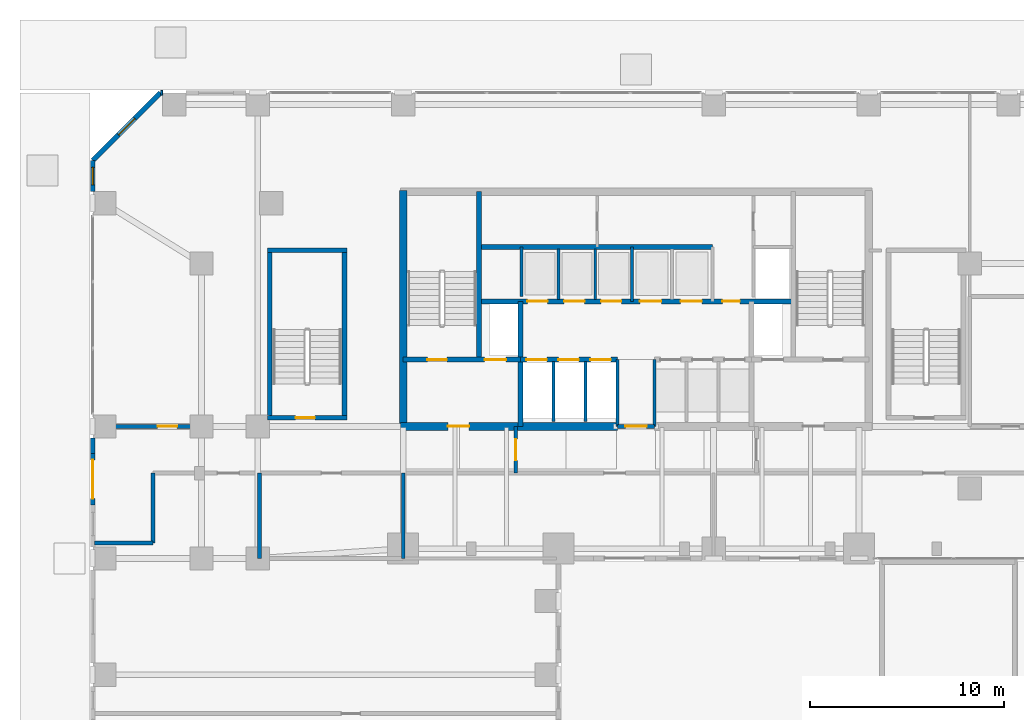
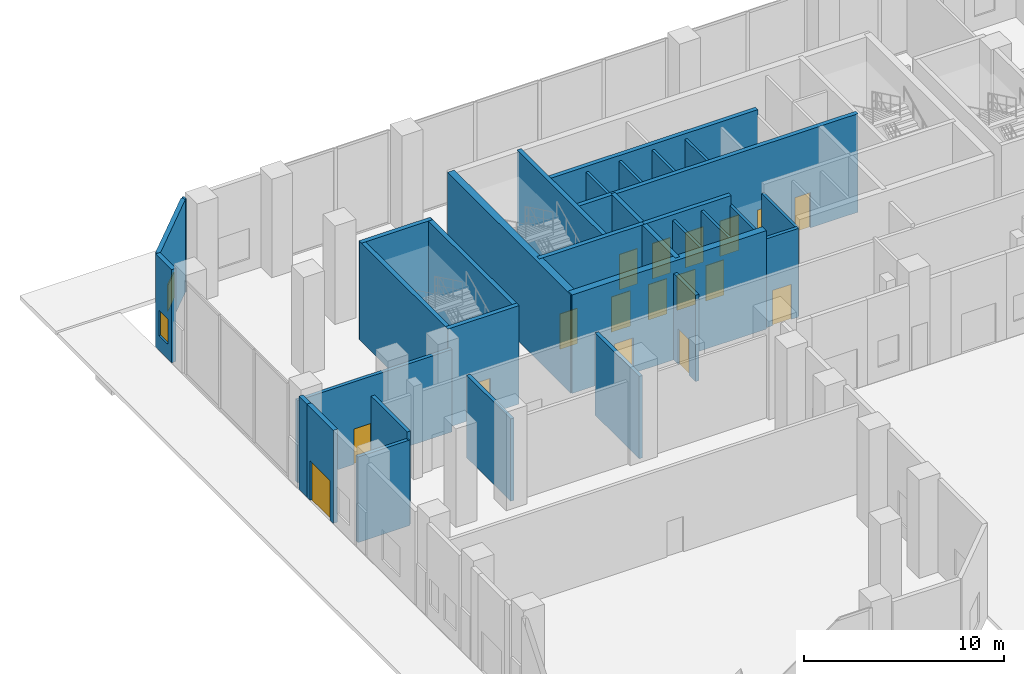
# One storey, part 18 of 26: 32 walls, 17 doors, 2 windows, 19 openings.
"""IFC4 building model written with IfcOpenShell, lengths in metres."""

from ifc_helpers import new_model, si_unit, direction, frame, frame_2d, origin, place, context, subcontext, project, spatial, rectangle, extrude, material, layer, layer_set, type_object, element, fill, save


model = new_model("IFC4")

# Units and contexts
model_context = context("Model", 3, precision=1e-05, world=origin(), true_north=direction((0.0, 1.0)))
body_context = subcontext(model_context, "Body", "Model", "MODEL_VIEW")
ifc_project = project(units=[si_unit("LENGTHUNIT", "METRE"), si_unit("AREAUNIT", "SQUARE_METRE"), si_unit("VOLUMEUNIT", "CUBIC_METRE"), si_unit("PLANEANGLEUNIT", "RADIAN"), si_unit("MASSUNIT", "GRAM", prefix="KILO")], contexts=[model_context])

# Site, building, storey
site_placement = place(None, origin())
site = spatial("IfcSite", under=ifc_project, at=site_placement, CompositionType="ELEMENT")
building_placement = place(site_placement, origin())
building = spatial("IfcBuilding", under=site, at=building_placement, Name="Catumbela Crestline Tower", CompositionType="ELEMENT")
storey_placement = place(building_placement, origin())
storey = spatial("IfcBuildingStorey", under=building, at=storey_placement, Name="L00", CompositionType="ELEMENT", Elevation=0.0)

# Walls
ifc_material_1 = material(Name="Concrete C50/60", Category="concrete")
ifc_layer_1 = layer(ifc_material_1, 0.25, Name="Concrete C50/60")
ifc_layer_set_1 = layer_set([ifc_layer_1], Name="Concrete C50/60")
wall_type_1 = type_object("IfcWallType", Name="CW-250D", PredefinedType="SHEAR", material=ifc_layer_set_1)
wall_1_placement = place(storey_placement, frame((19.9, 34.25, 0.0), z_axis=(0.0, 0.0, 1.0), x_axis=(0.0, 1.0, 0.0)))
element("IfcWall", 1, at=wall_1_placement, inside=storey, type_object=wall_type_1, Name="L00 Structural Core Shear Wall WWEB", PredefinedType="SHEAR", context=body_context, shape_type="SweptSolid", body=[
    extrude(rectangle(XDim=8.65, YDim=0.25, at=frame_2d((4.325, 0.0))), origin(), (0.0, 0.0, 1.0), 6.0),
])
wall_2_placement = place(storey_placement, frame((22.05, 30.8, 0.0), z_axis=(0.0, 0.0, 1.0), x_axis=(0.0, 1.0, 0.0)))
element("IfcWall", 2, at=wall_2_placement, inside=storey, type_object=wall_type_1, Name="L00 Structural Core Shear Wall FFW", PredefinedType="SHEAR", context=body_context, shape_type="SweptSolid", body=[
    extrude(rectangle(XDim=6.45, YDim=0.25, at=frame_2d((3.225, 0.0))), origin(), (0.0, 0.0, 1.0), 6.0),
])

# Wall, openings, doors
wall_3_placement = place(storey_placement, frame((16.0, 34.25, 0.0), z_axis=(0.0, 0.0, 1.0), x_axis=(1.0, 0.0, 0.0)))
wall_3 = element("IfcWall", 3, at=wall_3_placement, inside=storey, type_object=wall_type_1, Name="L00 Structural Core Shear Wall ST1S", PredefinedType="SHEAR", context=body_context, shape_type="SweptSolid", body=[
    extrude(rectangle(XDim=6.05, YDim=0.25, at=frame_2d((3.025, 0.0))), origin(), (0.0, 0.0, 1.0), 6.0),
])
opening_1_placement = place(wall_3_placement, frame((1.25, 0.0, 0.0)))
opening_1 = element("IfcOpeningElement", 4, at=opening_1_placement, cuts=wall_3, Name="Opening DF9-100", PredefinedType="OPENING", context=body_context, shape_type="SweptSolid", body=[
    extrude(rectangle(XDim=1.0, YDim=2.15, at=frame_2d((0.5, 1.075))), frame((0.0, 0.135, 0.0), z_axis=(0.0, -1.0, 0.0), x_axis=(1.0, 0.0, 0.0)), (0.0, 0.0, 1.0), 0.27),
])
opening_2_placement = place(wall_3_placement, frame((4.2, 0.0, 0.0)))
opening_2 = element("IfcOpeningElement", 5, at=opening_2_placement, cuts=wall_3, Name="Opening LD-110", PredefinedType="OPENING", context=body_context, shape_type="SweptSolid", body=[
    extrude(rectangle(XDim=1.1, YDim=2.15, at=frame_2d((0.55, 1.075))), frame((0.0, 0.135, 0.0), z_axis=(0.0, -1.0, 0.0), x_axis=(1.0, 0.0, 0.0)), (0.0, 0.0, 1.0), 0.27),
])
ifc_material_2 = material(Name="Stainless steel EN 1.4401", Category="steel")
door_type_1 = type_object("IfcDoorType", Name="DF9-100", OperationType="NOTDEFINED", PredefinedType="DOOR", material=ifc_material_2)
door_1_placement = place(opening_1_placement, origin())
door_1 = element("IfcDoor", 6, at=door_1_placement, inside=storey, type_object=door_type_1, Name="L00 Interior Door DR-L00-ST01", OperationType="SINGLE_SWING_LEFT", OverallHeight=2.15, OverallWidth=1.0, PredefinedType="DOOR", context=body_context, shape_type="SweptSolid", body=[
    extrude(rectangle(XDim=1.0, YDim=2.15, at=frame_2d((0.5, 1.075))), frame((0.0, 0.025, 0.0), z_axis=(0.0, -1.0, 0.0), x_axis=(1.0, 0.0, 0.0)), (0.0, 0.0, 1.0), 0.05),
])
fill(opening_1, door_1)
door_type_2 = type_object("IfcDoorType", Name="LD-110", OperationType="NOTDEFINED", PredefinedType="DOOR", material=ifc_material_2)
door_2_placement = place(opening_2_placement, origin())
door_2 = element("IfcDoor", 7, at=door_2_placement, inside=storey, type_object=door_type_2, Name="L00 Lift Landing Sliding Door FL-01", OperationType="DOUBLE_DOOR_SLIDING", OverallHeight=2.15, OverallWidth=1.1, PredefinedType="DOOR", context=body_context, shape_type="SweptSolid", body=[
    extrude(rectangle(XDim=1.1, YDim=2.15, at=frame_2d((0.55, 1.075))), frame((0.0, 0.025, 0.0), z_axis=(0.0, -1.0, 0.0), x_axis=(1.0, 0.0, 0.0)), (0.0, 0.0, 1.0), 0.05),
])
fill(opening_2, door_2)

wall_4_placement = place(storey_placement, frame((22.05, 34.25, 0.0), z_axis=(0.0, 0.0, 1.0), x_axis=(1.0, 0.0, 0.0)))
wall_4 = element("IfcWall", 8, at=wall_4_placement, inside=storey, type_object=wall_type_1, Name="L00 Structural Core Shear Wall LIFTS-W", PredefinedType="SHEAR", context=body_context, shape_type="SweptSolid", body=[
    extrude(rectangle(XDim=5.0, YDim=0.25, at=frame_2d((2.5, 0.0))), origin(), (0.0, 0.0, 1.0), 6.0),
])
opening_3_placement = place(wall_4_placement, frame((0.3, 0.0, 0.0)))
opening_3 = element("IfcOpeningElement", 9, at=opening_3_placement, cuts=wall_4, Name="Opening LD-105", PredefinedType="OPENING", context=body_context, shape_type="SweptSolid", body=[
    extrude(rectangle(XDim=1.05, YDim=2.15, at=frame_2d((0.525, 1.075))), frame((0.0, 0.135, 0.0), z_axis=(0.0, -1.0, 0.0), x_axis=(1.0, 0.0, 0.0)), (0.0, 0.0, 1.0), 0.27),
])
opening_4_placement = place(wall_4_placement, frame((1.95, 0.0, 0.0)))
opening_4 = element("IfcOpeningElement", 10, at=opening_4_placement, cuts=wall_4, Name="Opening LD-105", PredefinedType="OPENING", context=body_context, shape_type="SweptSolid", body=[
    extrude(rectangle(XDim=1.05, YDim=2.15, at=frame_2d((0.525, 1.075))), frame((0.0, 0.135, 0.0), z_axis=(0.0, -1.0, 0.0), x_axis=(1.0, 0.0, 0.0)), (0.0, 0.0, 1.0), 0.27),
])
opening_5_placement = place(wall_4_placement, frame((3.6, 0.0, 0.0)))
opening_5 = element("IfcOpeningElement", 11, at=opening_5_placement, cuts=wall_4, Name="Opening LD-105", PredefinedType="OPENING", context=body_context, shape_type="SweptSolid", body=[
    extrude(rectangle(XDim=1.05, YDim=2.15, at=frame_2d((0.525, 1.075))), frame((0.0, 0.135, 0.0), z_axis=(0.0, -1.0, 0.0), x_axis=(1.0, 0.0, 0.0)), (0.0, 0.0, 1.0), 0.27),
])
door_type_3 = type_object("IfcDoorType", Name="LD-105", OperationType="NOTDEFINED", PredefinedType="DOOR", material=ifc_material_2)
door_3_placement = place(opening_3_placement, origin())
door_3 = element("IfcDoor", 12, at=door_3_placement, inside=storey, type_object=door_type_3, Name="L00 Lift Landing Sliding Door PL-L1", OperationType="DOUBLE_DOOR_SLIDING", OverallHeight=2.15, OverallWidth=1.05, PredefinedType="DOOR", context=body_context, shape_type="SweptSolid", body=[
    extrude(rectangle(XDim=1.05, YDim=2.15, at=frame_2d((0.525, 1.075))), frame((0.0, 0.025, 0.0), z_axis=(0.0, -1.0, 0.0), x_axis=(1.0, 0.0, 0.0)), (0.0, 0.0, 1.0), 0.05),
])
fill(opening_3, door_3)
door_4_placement = place(opening_4_placement, origin())
door_4 = element("IfcDoor", 13, at=door_4_placement, inside=storey, type_object=door_type_3, Name="L00 Lift Landing Sliding Door PL-L2", OperationType="DOUBLE_DOOR_SLIDING", OverallHeight=2.15, OverallWidth=1.05, PredefinedType="DOOR", context=body_context, shape_type="SweptSolid", body=[
    extrude(rectangle(XDim=1.05, YDim=2.15, at=frame_2d((0.525, 1.075))), frame((0.0, 0.025, 0.0), z_axis=(0.0, -1.0, 0.0), x_axis=(1.0, 0.0, 0.0)), (0.0, 0.0, 1.0), 0.05),
])
fill(opening_4, door_4)
door_5_placement = place(opening_5_placement, origin())
door_5 = element("IfcDoor", 14, at=door_5_placement, inside=storey, type_object=door_type_3, Name="L00 Lift Landing Sliding Door PL-L3", OperationType="DOUBLE_DOOR_SLIDING", OverallHeight=2.15, OverallWidth=1.05, PredefinedType="DOOR", context=body_context, shape_type="SweptSolid", body=[
    extrude(rectangle(XDim=1.05, YDim=2.15, at=frame_2d((0.525, 1.075))), frame((0.0, 0.025, 0.0), z_axis=(0.0, -1.0, 0.0), x_axis=(1.0, 0.0, 0.0)), (0.0, 0.0, 1.0), 0.05),
])
fill(opening_5, door_5)

wall_5_placement = place(storey_placement, frame((19.9, 37.25, 0.0), z_axis=(0.0, 0.0, 1.0), x_axis=(1.0, 0.0, 0.0)))
wall_5 = element("IfcWall", 15, at=wall_5_placement, inside=storey, type_object=wall_type_1, Name="L00 Structural Core Shear Wall LIFTN", PredefinedType="SHEAR", context=body_context, shape_type="SweptSolid", body=[
    extrude(rectangle(XDim=16.2, YDim=0.25, at=frame_2d((8.1, 0.0))), origin(), (0.0, 0.0, 1.0), 6.0),
])
opening_6_placement = place(wall_5_placement, frame((12.55, 0.0, 0.0)))
opening_6 = element("IfcOpeningElement", 16, at=opening_6_placement, cuts=wall_5, Name="Opening DF9-090", PredefinedType="OPENING", context=body_context, shape_type="SweptSolid", body=[
    extrude(rectangle(XDim=0.9, YDim=2.15, at=frame_2d((0.45, 1.075))), frame((0.0, 0.135, 0.0), z_axis=(0.0, -1.0, 0.0), x_axis=(1.0, 0.0, 0.0)), (0.0, 0.0, 1.0), 0.27),
])
opening_7_placement = place(wall_5_placement, frame((2.5, 0.0, 0.0)))
opening_7 = element("IfcOpeningElement", 17, at=opening_7_placement, cuts=wall_5, Name="Opening LD-105", PredefinedType="OPENING", context=body_context, shape_type="SweptSolid", body=[
    extrude(rectangle(XDim=1.05, YDim=2.15, at=frame_2d((0.525, 1.075))), frame((0.0, 0.135, 0.0), z_axis=(0.0, -1.0, 0.0), x_axis=(1.0, 0.0, 0.0)), (0.0, 0.0, 1.0), 0.27),
])
opening_8_placement = place(wall_5_placement, frame((4.4, 0.0, 0.0)))
opening_8 = element("IfcOpeningElement", 18, at=opening_8_placement, cuts=wall_5, Name="Opening LD-105", PredefinedType="OPENING", context=body_context, shape_type="SweptSolid", body=[
    extrude(rectangle(XDim=1.05, YDim=2.15, at=frame_2d((0.525, 1.075))), frame((0.0, 0.135, 0.0), z_axis=(0.0, -1.0, 0.0), x_axis=(1.0, 0.0, 0.0)), (0.0, 0.0, 1.0), 0.27),
])
opening_9_placement = place(wall_5_placement, frame((6.3, 0.0, 0.0)))
opening_9 = element("IfcOpeningElement", 19, at=opening_9_placement, cuts=wall_5, Name="Opening LD-105", PredefinedType="OPENING", context=body_context, shape_type="SweptSolid", body=[
    extrude(rectangle(XDim=1.05, YDim=2.15, at=frame_2d((0.525, 1.075))), frame((0.0, 0.135, 0.0), z_axis=(0.0, -1.0, 0.0), x_axis=(1.0, 0.0, 0.0)), (0.0, 0.0, 1.0), 0.27),
])
opening_10_placement = place(wall_5_placement, frame((8.3, 0.0, 0.0)))
opening_10 = element("IfcOpeningElement", 20, at=opening_10_placement, cuts=wall_5, Name="Opening LD-110", PredefinedType="OPENING", context=body_context, shape_type="SweptSolid", body=[
    extrude(rectangle(XDim=1.1, YDim=2.15, at=frame_2d((0.55, 1.075))), frame((0.0, 0.135, 0.0), z_axis=(0.0, -1.0, 0.0), x_axis=(1.0, 0.0, 0.0)), (0.0, 0.0, 1.0), 0.27),
])
opening_11_placement = place(wall_5_placement, frame((10.4, 0.0, 0.0)))
opening_11 = element("IfcOpeningElement", 21, at=opening_11_placement, cuts=wall_5, Name="Opening LD-110", PredefinedType="OPENING", context=body_context, shape_type="SweptSolid", body=[
    extrude(rectangle(XDim=1.1, YDim=2.15, at=frame_2d((0.55, 1.075))), frame((0.0, 0.135, 0.0), z_axis=(0.0, -1.0, 0.0), x_axis=(1.0, 0.0, 0.0)), (0.0, 0.0, 1.0), 0.27),
])
door_type_4 = type_object("IfcDoorType", Name="DF9-090", OperationType="NOTDEFINED", PredefinedType="DOOR", material=ifc_material_2)
door_6_placement = place(opening_6_placement, origin())
door_6 = element("IfcDoor", 22, at=door_6_placement, inside=storey, type_object=door_type_4, Name="L00 Interior Door DR-L00-CPAS1", OperationType="SINGLE_SWING_LEFT", OverallHeight=2.15, OverallWidth=0.9, PredefinedType="DOOR", context=body_context, shape_type="SweptSolid", body=[
    extrude(rectangle(XDim=0.9, YDim=2.15, at=frame_2d((0.45, 1.075))), frame((0.0, 0.025, 0.0), z_axis=(0.0, -1.0, 0.0), x_axis=(1.0, 0.0, 0.0)), (0.0, 0.0, 1.0), 0.05),
])
fill(opening_6, door_6)
door_7_placement = place(opening_7_placement, origin())
door_7 = element("IfcDoor", 23, at=door_7_placement, inside=storey, type_object=door_type_3, Name="L00 Lift Landing Sliding Door PL-H1", OperationType="DOUBLE_DOOR_SLIDING", OverallHeight=2.15, OverallWidth=1.05, PredefinedType="DOOR", context=body_context, shape_type="SweptSolid", body=[
    extrude(rectangle(XDim=1.05, YDim=2.15, at=frame_2d((0.525, 1.075))), frame((0.0, 0.025, 0.0), z_axis=(0.0, -1.0, 0.0), x_axis=(1.0, 0.0, 0.0)), (0.0, 0.0, 1.0), 0.05),
])
fill(opening_7, door_7)
door_8_placement = place(opening_8_placement, origin())
door_8 = element("IfcDoor", 24, at=door_8_placement, inside=storey, type_object=door_type_3, Name="L00 Lift Landing Sliding Door PL-H2", OperationType="DOUBLE_DOOR_SLIDING", OverallHeight=2.15, OverallWidth=1.05, PredefinedType="DOOR", context=body_context, shape_type="SweptSolid", body=[
    extrude(rectangle(XDim=1.05, YDim=2.15, at=frame_2d((0.525, 1.075))), frame((0.0, 0.025, 0.0), z_axis=(0.0, -1.0, 0.0), x_axis=(1.0, 0.0, 0.0)), (0.0, 0.0, 1.0), 0.05),
])
fill(opening_8, door_8)
door_9_placement = place(opening_9_placement, origin())
door_9 = element("IfcDoor", 25, at=door_9_placement, inside=storey, type_object=door_type_3, Name="L00 Lift Landing Sliding Door PL-H3", OperationType="DOUBLE_DOOR_SLIDING", OverallHeight=2.15, OverallWidth=1.05, PredefinedType="DOOR", context=body_context, shape_type="SweptSolid", body=[
    extrude(rectangle(XDim=1.05, YDim=2.15, at=frame_2d((0.525, 1.075))), frame((0.0, 0.025, 0.0), z_axis=(0.0, -1.0, 0.0), x_axis=(1.0, 0.0, 0.0)), (0.0, 0.0, 1.0), 0.05),
])
fill(opening_9, door_9)
door_10_placement = place(opening_10_placement, origin())
door_10 = element("IfcDoor", 26, at=door_10_placement, inside=storey, type_object=door_type_2, Name="L00 Lift Landing Sliding Door PL-EX1", OperationType="DOUBLE_DOOR_SLIDING", OverallHeight=2.15, OverallWidth=1.1, PredefinedType="DOOR", context=body_context, shape_type="SweptSolid", body=[
    extrude(rectangle(XDim=1.1, YDim=2.15, at=frame_2d((0.55, 1.075))), frame((0.0, 0.025, 0.0), z_axis=(0.0, -1.0, 0.0), x_axis=(1.0, 0.0, 0.0)), (0.0, 0.0, 1.0), 0.05),
])
fill(opening_10, door_10)
door_11_placement = place(opening_11_placement, origin())
door_11 = element("IfcDoor", 27, at=door_11_placement, inside=storey, type_object=door_type_2, Name="L00 Lift Landing Sliding Door PL-EX2", OperationType="DOUBLE_DOOR_SLIDING", OverallHeight=2.15, OverallWidth=1.1, PredefinedType="DOOR", context=body_context, shape_type="SweptSolid", body=[
    extrude(rectangle(XDim=1.1, YDim=2.15, at=frame_2d((0.55, 1.075))), frame((0.0, 0.025, 0.0), z_axis=(0.0, -1.0, 0.0), x_axis=(1.0, 0.0, 0.0)), (0.0, 0.0, 1.0), 0.05),
])
fill(opening_11, door_11)

# Walls
wall_6_placement = place(storey_placement, frame((19.9, 40.05, 0.0), z_axis=(0.0, 0.0, 1.0), x_axis=(1.0, 0.0, 0.0)))
element("IfcWall", 28, at=wall_6_placement, inside=storey, type_object=wall_type_1, Name="L00 Structural Core Shear Wall COREN", PredefinedType="SHEAR", context=body_context, shape_type="SweptSolid", body=[
    extrude(rectangle(XDim=12.05, YDim=0.25, at=frame_2d((6.025, 0.0))), origin(), (0.0, 0.0, 1.0), 6.0),
])
for number, where, z_axis, x_axis, name in (
    (29, (9.12, 31.15, 0.0), (0.0, 0.0, 1.0), (0.0, 1.0, 0.0), "L00 Structural Core Shear Wall ST3W"),
    (30, (12.98, 31.15, 0.0), (0.0, 0.0, 1.0), (0.0, 1.0, 0.0), "L00 Structural Core Shear Wall ST3E"),
):
    element("IfcWall", number, at=place(storey_placement, frame(where, z_axis=z_axis, x_axis=x_axis)), inside=storey, type_object=wall_type_1, Name=name, PredefinedType="SHEAR", context=body_context, shape_type="SweptSolid", body=[
        extrude(rectangle(XDim=8.8, YDim=0.25, at=frame_2d((4.4, 0.0))), origin(), (0.0, 0.0, 1.0), 6.0),
    ])
wall_7_placement = place(storey_placement, frame((9.0, 39.88, 0.0), z_axis=(0.0, 0.0, 1.0), x_axis=(1.0, 0.0, 0.0)))
element("IfcWall", 31, at=wall_7_placement, inside=storey, type_object=wall_type_1, Name="L00 Structural Core Shear Wall ST3N", PredefinedType="SHEAR", context=body_context, shape_type="SweptSolid", body=[
    extrude(rectangle(XDim=4.1, YDim=0.25, at=frame_2d((2.05, 0.0))), origin(), (0.0, 0.0, 1.0), 6.0),
])

# Wall, opening, door
wall_8_placement = place(storey_placement, frame((9.0, 31.25, 0.0), z_axis=(0.0, 0.0, 1.0), x_axis=(1.0, 0.0, 0.0)))
wall_8 = element("IfcWall", 32, at=wall_8_placement, inside=storey, type_object=wall_type_1, Name="L00 Structural Core Shear Wall ST3S", PredefinedType="SHEAR", context=body_context, shape_type="SweptSolid", body=[
    extrude(rectangle(XDim=4.1, YDim=0.25, at=frame_2d((2.05, 0.0))), origin(), (0.0, 0.0, 1.0), 6.0),
])
opening_12_placement = place(wall_8_placement, frame((1.45, 0.0, 0.0)))
opening_12 = element("IfcOpeningElement", 33, at=opening_12_placement, cuts=wall_8, Name="Opening DF9-100", PredefinedType="OPENING", context=body_context, shape_type="SweptSolid", body=[
    extrude(rectangle(XDim=1.0, YDim=2.15, at=frame_2d((0.5, 1.075))), frame((0.0, 0.135, 0.0), z_axis=(0.0, -1.0, 0.0), x_axis=(1.0, 0.0, 0.0)), (0.0, 0.0, 1.0), 0.27),
])
door_12_placement = place(opening_12_placement, origin())
door_12 = element("IfcDoor", 34, at=door_12_placement, inside=storey, type_object=door_type_1, Name="L00 Interior Door DR-L00-ST03", OperationType="SINGLE_SWING_LEFT", OverallHeight=2.15, OverallWidth=1.0, PredefinedType="DOOR", context=body_context, shape_type="SweptSolid", body=[
    extrude(rectangle(XDim=1.0, YDim=2.15, at=frame_2d((0.5, 1.075))), frame((0.0, 0.025, 0.0), z_axis=(0.0, -1.0, 0.0), x_axis=(1.0, 0.0, 0.0)), (0.0, 0.0, 1.0), 0.05),
])
fill(opening_12, door_12)

# Wall
ifc_material_3 = material(Name="Concrete C60/75", Category="concrete")
ifc_layer_2 = layer(ifc_material_3, 0.4, Name="Concrete C60/75")
ifc_layer_set_2 = layer_set([ifc_layer_2], Name="Concrete C60/75")
wall_type_2 = type_object("IfcWallType", Name="CW-400A", PredefinedType="SHEAR", material=ifc_layer_set_2)
wall_9_placement = place(storey_placement, frame((16.0, 30.65, 0.0), z_axis=(0.0, 0.0, 1.0), x_axis=(0.0, 1.0, 0.0)))
element("IfcWall", 35, at=wall_9_placement, inside=storey, type_object=wall_type_2, Name="L00 Structural Core Shear Wall W", PredefinedType="SHEAR", context=body_context, shape_type="SweptSolid", body=[
    extrude(rectangle(XDim=12.3, YDim=0.4, at=frame_2d((6.15, 0.0))), origin(), (0.0, 0.0, 1.0), 6.0),
])

# Wall, opening, door
wall_10_placement = place(storey_placement, frame((15.85, 30.8, 0.0), z_axis=(0.0, 0.0, 1.0), x_axis=(1.0, 0.0, 0.0)))
wall_10 = element("IfcWall", 36, at=wall_10_placement, inside=storey, type_object=wall_type_2, Name="L00 Structural Core Shear Wall SW", PredefinedType="SHEAR", context=body_context, shape_type="SweptSolid", body=[
    extrude(rectangle(XDim=11.2, YDim=0.4, at=frame_2d((5.6, 0.0))), origin(), (0.0, 0.0, 1.0), 6.0),
])
opening_13_placement = place(wall_10_placement, frame((2.45, 0.0, 0.0)))
opening_13 = element("IfcOpeningElement", 37, at=opening_13_placement, cuts=wall_10, Name="Opening DF9-110", PredefinedType="OPENING", context=body_context, shape_type="SweptSolid", body=[
    extrude(rectangle(XDim=1.1, YDim=2.15, at=frame_2d((0.55, 1.075))), frame((0.0, 0.21, 0.0), z_axis=(0.0, -1.0, 0.0), x_axis=(1.0, 0.0, 0.0)), (0.0, 0.0, 1.0), 0.42),
])
door_type_5 = type_object("IfcDoorType", Name="DF9-110", OperationType="NOTDEFINED", PredefinedType="DOOR", material=ifc_material_2)
door_13_placement = place(opening_13_placement, origin())
door_13 = element("IfcDoor", 38, at=door_13_placement, inside=storey, type_object=door_type_5, Name="L00 Interior Door DR-L00-FFW-S", OperationType="SINGLE_SWING_LEFT", OverallHeight=2.15, OverallWidth=1.1, PredefinedType="DOOR", context=body_context, shape_type="SweptSolid", body=[
    extrude(rectangle(XDim=1.1, YDim=2.15, at=frame_2d((0.55, 1.075))), frame((0.0, 0.025, 0.0), z_axis=(0.0, -1.0, 0.0), x_axis=(1.0, 0.0, 0.0)), (0.0, 0.0, 1.0), 0.05),
])
fill(opening_13, door_13)

ifc_material_4 = material(Name="Acoustic gypsum and mineral-wool partition")
ifc_layer_3 = layer(ifc_material_4, 0.2, Name="Acoustic gypsum and mineral-wool partition")
ifc_layer_set_3 = layer_set([ifc_layer_3], Name="Acoustic gypsum and mineral-wool partition")
wall_type_3 = type_object("IfcWallType", Name="WC-200", PredefinedType="PARTITIONING", material=ifc_layer_set_3)
wall_11_placement = place(storey_placement, frame((27.05, 30.8, 0.0), z_axis=(0.0, 0.0, 1.0), x_axis=(1.0, 0.0, 0.0)))
wall_11 = element("IfcWall", 39, at=wall_11_placement, inside=storey, type_object=wall_type_3, Name="L00 Interior Partition PW-L00-CLOBS", PredefinedType="PARTITIONING", context=body_context, shape_type="SweptSolid", body=[
    extrude(rectangle(XDim=1.9, YDim=0.2, at=frame_2d((0.95, 0.0))), origin(), (0.0, 0.0, 1.0), 5.41),
])
opening_14_placement = place(wall_11_placement, frame((0.4, 0.0, 0.0)))
opening_14 = element("IfcOpeningElement", 40, at=opening_14_placement, cuts=wall_11, Name="Opening DF9-110", PredefinedType="OPENING", context=body_context, shape_type="SweptSolid", body=[
    extrude(rectangle(XDim=1.1, YDim=2.15, at=frame_2d((0.55, 1.075))), frame((0.0, 0.11, 0.0), z_axis=(0.0, -1.0, 0.0), x_axis=(1.0, 0.0, 0.0)), (0.0, 0.0, 1.0), 0.22),
])
door_14_placement = place(opening_14_placement, origin())
door_14 = element("IfcDoor", 41, at=door_14_placement, inside=storey, type_object=door_type_5, Name="L00 Interior Door DR-L00-CLOBS", OperationType="SINGLE_SWING_LEFT", OverallHeight=2.15, OverallWidth=1.1, PredefinedType="DOOR", context=body_context, shape_type="SweptSolid", body=[
    extrude(rectangle(XDim=1.1, YDim=2.15, at=frame_2d((0.55, 1.075))), frame((0.0, 0.025, 0.0), z_axis=(0.0, -1.0, 0.0), x_axis=(1.0, 0.0, 0.0)), (0.0, 0.0, 1.0), 0.05),
])
fill(opening_14, door_14)

wall_12_placement = place(storey_placement, frame((21.8, 28.4, 0.0), z_axis=(0.0, 0.0, 1.0), x_axis=(0.0, 1.0, 0.0)))
wall_12 = element("IfcWall", 42, at=wall_12_placement, inside=storey, type_object=wall_type_3, Name="L00 Interior Partition PW-L00-EXW-SEP", PredefinedType="PARTITIONING", context=body_context, shape_type="SweptSolid", body=[
    extrude(rectangle(XDim=2.4, YDim=0.2, at=frame_2d((1.2, 0.0))), origin(), (0.0, 0.0, 1.0), 5.26),
])
opening_15_placement = place(wall_12_placement, frame((0.65, 0.0, 0.0)))
opening_15 = element("IfcOpeningElement", 43, at=opening_15_placement, cuts=wall_12, Name="Opening DF9-110", PredefinedType="OPENING", context=body_context, shape_type="SweptSolid", body=[
    extrude(rectangle(XDim=1.1, YDim=2.15, at=frame_2d((0.55, 1.075))), frame((0.0, 0.11, 0.0), z_axis=(0.0, -1.0, 0.0), x_axis=(1.0, 0.0, 0.0)), (0.0, 0.0, 1.0), 0.22),
])
door_15_placement = place(opening_15_placement, origin())
door_15 = element("IfcDoor", 44, at=door_15_placement, inside=storey, type_object=door_type_5, Name="L00 Interior Door DR-L00-EXW-SEP", OperationType="SINGLE_SWING_LEFT", OverallHeight=2.15, OverallWidth=1.1, PredefinedType="DOOR", context=body_context, shape_type="SweptSolid", body=[
    extrude(rectangle(XDim=1.1, YDim=2.15, at=frame_2d((0.55, 1.075))), frame((0.0, 0.025, 0.0), z_axis=(0.0, -1.0, 0.0), x_axis=(1.0, 0.0, 0.0)), (0.0, 0.0, 1.0), 0.05),
])
fill(opening_15, door_15)

# Walls
wall_13_placement = place(storey_placement, frame((3.1, 24.8, 0.0), z_axis=(0.0, 0.0, 1.0), x_axis=(0.0, 1.0, 0.0)))
element("IfcWall", 45, at=wall_13_placement, inside=storey, type_object=wall_type_3, Name="L00 Interior Partition PW-L00-EXWV-E", PredefinedType="PARTITIONING", context=body_context, shape_type="SweptSolid", body=[
    extrude(rectangle(XDim=3.6, YDim=0.2, at=frame_2d((1.8, 0.0))), origin(), (0.0, 0.0, 1.0), 5.67),
])
wall_14_placement = place(storey_placement, frame((0.1, 24.8, 0.0), z_axis=(0.0, 0.0, 1.0), x_axis=(1.0, 0.0, 0.0)))
element("IfcWall", 46, at=wall_14_placement, inside=storey, type_object=wall_type_3, Name="L00 Interior Partition PW-L00-EXWV-S", PredefinedType="PARTITIONING", context=body_context, shape_type="SweptSolid", body=[
    extrude(rectangle(XDim=3.0, YDim=0.2, at=frame_2d((1.5, 0.0))), origin(), (0.0, 0.0, 1.0), 5.21),
])
for number, where, z_axis, x_axis, name in (
    (47, (16.0, 24.0, 0.0), (0.0, 0.0, 1.0), (0.0, 1.0, 0.0), "L00 Interior Partition PW-L00-FCC-E"),
    (48, (8.6, 24.0, 0.0), (0.0, 0.0, 1.0), (0.0, 1.0, 0.0), "L00 Interior Partition PW-L00-FCC-W"),
):
    element("IfcWall", number, at=place(storey_placement, frame(where, z_axis=z_axis, x_axis=x_axis)), inside=storey, type_object=wall_type_3, Name=name, PredefinedType="PARTITIONING", context=body_context, shape_type="SweptSolid", body=[
        extrude(rectangle(XDim=4.4, YDim=0.2, at=frame_2d((2.2, 0.0))), origin(), (0.0, 0.0, 1.0), 5.02),
    ])

# Wall, opening, door
wall_15_placement = place(storey_placement, frame((0.1, 30.8, 0.0), z_axis=(0.0, 0.0, 1.0), x_axis=(1.0, 0.0, 0.0)))
wall_15 = element("IfcWall", 49, at=wall_15_placement, inside=storey, type_object=wall_type_3, Name="L00 Interior Partition PW-L00-NW1", PredefinedType="PARTITIONING", context=body_context, shape_type="SweptSolid", body=[
    extrude(rectangle(XDim=8.9, YDim=0.2, at=frame_2d((4.45, 0.0))), origin(), (0.0, 0.0, 1.0), 5.02),
])
opening_16_placement = place(wall_15_placement, frame((3.2481, 0.0, 0.0)))
opening_16 = element("IfcOpeningElement", 50, at=opening_16_placement, cuts=wall_15, Name="Opening DF9-100", PredefinedType="OPENING", context=body_context, shape_type="SweptSolid", body=[
    extrude(rectangle(XDim=1.0, YDim=2.15, at=frame_2d((0.5, 1.075))), frame((0.0, 0.11, 0.0), z_axis=(0.0, -1.0, 0.0), x_axis=(1.0, 0.0, 0.0)), (0.0, 0.0, 1.0), 0.22),
])
door_16_placement = place(opening_16_placement, origin())
door_16 = element("IfcDoor", 51, at=door_16_placement, inside=storey, type_object=door_type_1, Name="L00 Interior Door DR-L00-NW1", OperationType="SINGLE_SWING_LEFT", OverallHeight=2.15, OverallWidth=1.0, PredefinedType="DOOR", context=body_context, shape_type="SweptSolid", body=[
    extrude(rectangle(XDim=1.0, YDim=2.15, at=frame_2d((0.5, 1.075))), frame((0.0, 0.025, 0.0), z_axis=(0.0, -1.0, 0.0), x_axis=(1.0, 0.0, 0.0)), (0.0, 0.0, 1.0), 0.05),
])
fill(opening_16, door_16)

# Wall
ifc_material_5 = material(Name="Angolan grey-ochre granite", Category="masonry")
ifc_layer_4 = layer(ifc_material_5, 0.25, Name="Angolan grey-ochre granite")
ifc_layer_set_4 = layer_set([ifc_layer_4], Name="Angolan grey-ochre granite")
wall_type_4 = type_object("IfcWallType", Name="WE-250", PredefinedType="STANDARD", material=ifc_layer_set_4)
wall_16_placement = place(storey_placement, frame((3.6, 48.0, 0.0), z_axis=(0.0, 0.0, 1.0), x_axis=(-1.0, 0.0, 0.0)))
element("IfcWall", 52, at=wall_16_placement, inside=storey, type_object=wall_type_4, Name="L00 Granite Punched Window Wall 7-7", PredefinedType="STANDARD", context=body_context, shape_type="SweptSolid", body=[
    extrude(rectangle(XDim=0.1, YDim=0.25, at=frame_2d((0.05, 0.0))), origin(), (0.0, 0.0, 1.0), 5.67),
])

# Wall, opening, window
wall_17_placement = place(storey_placement, frame((3.5, 48.0, 0.0), z_axis=(0.0, 0.0, 1.0), x_axis=(-0.707106781187, -0.707106781187, 0.0)))
wall_17 = element("IfcWall", 53, at=wall_17_placement, inside=storey, type_object=wall_type_4, Name="L00 Granite Punched Window Wall 8-1", PredefinedType="STANDARD", context=body_context, shape_type="SweptSolid", body=[
    extrude(rectangle(XDim=4.9497, YDim=0.25, at=frame_2d((2.4748, 0.0))), origin(), (0.0, 0.0, 1.0), 5.67),
])
opening_17_placement = place(wall_17_placement, frame((1.8748, 0.0, 0.85)))
opening_17 = element("IfcOpeningElement", 54, at=opening_17_placement, cuts=wall_17, Name="Opening WN-02", PredefinedType="OPENING", context=body_context, shape_type="SweptSolid", body=[
    extrude(rectangle(XDim=1.2, YDim=1.6, at=frame_2d((0.6, 0.8))), frame((0.0, 0.135, 0.0), z_axis=(0.0, -1.0, 0.0), x_axis=(1.0, 0.0, 0.0)), (0.0, 0.0, 1.0), 0.27),
])
ifc_material_6 = material(Name="Low-E laminated solar-control double glazing", Category="glass")
window_type_1 = type_object("IfcWindowType", Name="WO-1200", PartitioningType="SINGLE_PANEL", PredefinedType="WINDOW", material=ifc_material_6)
window_1_placement = place(opening_17_placement, origin())
window_1 = element("IfcWindow", 55, at=window_1_placement, inside=storey, type_object=window_type_1, Name="L00 Facade Vision Window 18", OverallHeight=1.6, OverallWidth=1.2, PartitioningType="SINGLE_PANEL", PredefinedType="WINDOW", context=body_context, shape_type="SweptSolid", body=[
    extrude(rectangle(XDim=1.2, YDim=1.6, at=frame_2d((0.6, 0.8))), frame((0.0, 0.03, 0.0), z_axis=(0.0, -1.0, 0.0), x_axis=(1.0, 0.0, 0.0)), (0.0, 0.0, 1.0), 0.06),
])
fill(opening_17, window_1)

# Wall, opening, door
wall_18_placement = place(storey_placement, frame((0.0, 26.76, 0.0), z_axis=(0.0, 0.0, 1.0), x_axis=(0.0, 1.0, 0.0)))
wall_18 = element("IfcWall", 56, at=wall_18_placement, inside=storey, type_object=wall_type_4, Name="L00 Exterior Threshold Portal Wall DR-L00-EXIT-W", PredefinedType="STANDARD", context=body_context, shape_type="SweptSolid", body=[
    extrude(rectangle(XDim=2.64, YDim=0.25, at=frame_2d((1.32, 0.0))), origin(), (0.0, 0.0, 1.0), 5.67),
])
opening_18_placement = place(wall_18_placement, frame((0.32, 0.0, 0.0)))
opening_18 = element("IfcOpeningElement", 57, at=opening_18_placement, cuts=wall_18, Name="Opening DE-03", PredefinedType="OPENING", context=body_context, shape_type="SweptSolid", body=[
    extrude(rectangle(XDim=2.0, YDim=2.4, at=frame_2d((1.0, 1.2))), frame((0.0, 0.135, 0.0), z_axis=(0.0, -1.0, 0.0), x_axis=(1.0, 0.0, 0.0)), (0.0, 0.0, 1.0), 0.27),
])
ifc_material_7 = material(Name="Aluminium alloy AW-6060-T66", Category="aluminium")
door_type_6 = type_object("IfcDoorType", Name="DE-2000", OperationType="NOTDEFINED", PredefinedType="DOOR", material=ifc_material_7)
door_17_placement = place(opening_18_placement, origin())
door_17 = element("IfcDoor", 58, at=door_17_placement, inside=storey, type_object=door_type_6, Name="L00 West Galleria Final Exit Door", OperationType="DOUBLE_DOOR_SINGLE_SWING", OverallHeight=2.4, OverallWidth=2.0, PredefinedType="DOOR", context=body_context, shape_type="SweptSolid", body=[
    extrude(rectangle(XDim=2.0, YDim=2.4, at=frame_2d((1.0, 1.2))), frame((0.0, 0.025, 0.0), z_axis=(0.0, -1.0, 0.0), x_axis=(1.0, 0.0, 0.0)), (0.0, 0.0, 1.0), 0.05),
])
fill(opening_18, door_17)

# Wall, opening, window
wall_19_placement = place(storey_placement, frame((0.0, 44.5, 0.0), z_axis=(0.0, 0.0, 1.0), x_axis=(0.0, -1.0, 0.0)))
wall_19 = element("IfcWall", 59, at=wall_19_placement, inside=storey, type_object=wall_type_4, Name="L00 Granite Punched Window Wall 9-1", PredefinedType="STANDARD", context=body_context, shape_type="SweptSolid", body=[
    extrude(rectangle(XDim=1.6, YDim=0.25, at=frame_2d((0.8, 0.0))), origin(), (0.0, 0.0, 1.0), 5.67),
])
opening_19_placement = place(wall_19_placement, frame((0.35, 0.0, 0.9)))
opening_19 = element("IfcOpeningElement", 60, at=opening_19_placement, cuts=wall_19, Name="Opening WN-03", PredefinedType="OPENING", context=body_context, shape_type="SweptSolid", body=[
    extrude(rectangle(XDim=0.9, YDim=1.55, at=frame_2d((0.45, 0.775))), frame((0.0, 0.135, 0.0), z_axis=(0.0, -1.0, 0.0), x_axis=(1.0, 0.0, 0.0)), (0.0, 0.0, 1.0), 0.27),
])
window_type_2 = type_object("IfcWindowType", Name="WO-0900", PartitioningType="SINGLE_PANEL", PredefinedType="WINDOW", material=ifc_material_6)
window_2_placement = place(opening_19_placement, origin())
window_2 = element("IfcWindow", 61, at=window_2_placement, inside=storey, type_object=window_type_2, Name="L00 Facade Vision Window 19", OverallHeight=1.55, OverallWidth=0.9, PartitioningType="SINGLE_PANEL", PredefinedType="WINDOW", context=body_context, shape_type="SweptSolid", body=[
    extrude(rectangle(XDim=0.9, YDim=1.55, at=frame_2d((0.45, 0.775))), frame((0.0, 0.03, 0.0), z_axis=(0.0, -1.0, 0.0), x_axis=(1.0, 0.0, 0.0)), (0.0, 0.0, 1.0), 0.06),
])
fill(opening_19, window_2)

# Walls
wall_20_placement = place(storey_placement, frame((0.0, 30.2, 0.0), z_axis=(0.0, 0.0, 1.0), x_axis=(0.0, -1.0, 0.0)))
element("IfcWall", 62, at=wall_20_placement, inside=storey, type_object=wall_type_4, Name="L00 Granite Punched Window Wall 9-3", PredefinedType="STANDARD", context=body_context, shape_type="SweptSolid", body=[
    extrude(rectangle(XDim=0.8, YDim=0.25, at=frame_2d((0.4, 0.0))), origin(), (0.0, 0.0, 1.0), 5.67),
])
ifc_layer_5 = layer(ifc_material_4, 0.15, Name="Acoustic gypsum and mineral-wool partition")
ifc_layer_set_5 = layer_set([ifc_layer_5], Name="Acoustic gypsum and mineral-wool partition")
wall_type_5 = type_object("IfcWallType", Name="WS-150", PredefinedType="PLUMBINGWALL", material=ifc_layer_set_5)
for number, where, z_axis, x_axis, name in (
    (63, (27.05, 30.8, 0.0), (0.0, 0.0, 1.0), (0.0, 1.0, 0.0), "L00 Interior Partition PW-L00-THRW"),
    (64, (28.95, 30.8, 0.0), (0.0, 0.0, 1.0), (0.0, 1.0, 0.0), "L00 Interior Partition PW-L00-THRE"),
):
    element("IfcWall", number, at=place(storey_placement, frame(where, z_axis=z_axis, x_axis=x_axis)), inside=storey, type_object=wall_type_5, Name=name, PredefinedType="PLUMBINGWALL", context=body_context, shape_type="SweptSolid", body=[
        extrude(rectangle(XDim=3.45, YDim=0.15, at=frame_2d((1.725, 0.0))), origin(), (0.0, 0.0, 1.0), 5.41),
    ])
for number, where, z_axis, x_axis, name in (
    (65, (23.75, 31.05, 0.0), (0.0, 0.0, 1.0), (0.0, 1.0, 0.0), "L00 Interior Partition PW-L00-SHL1"),
    (66, (25.4, 31.05, 0.0), (0.0, 0.0, 1.0), (0.0, 1.0, 0.0), "L00 Interior Partition PW-L00-SHL2"),
):
    element("IfcWall", number, at=place(storey_placement, frame(where, z_axis=z_axis, x_axis=x_axis)), inside=storey, type_object=wall_type_5, Name=name, PredefinedType="PLUMBINGWALL", context=body_context, shape_type="SweptSolid", body=[
        extrude(rectangle(XDim=3.1, YDim=0.15, at=frame_2d((1.55, 0.0))), origin(), (0.0, 0.0, 1.0), 5.67),
    ])
wall_21_placement = place(storey_placement, frame((22.1, 37.4897, 0.0), z_axis=(0.0, 0.0, 1.0), x_axis=(0.0, 1.0, 0.0)))
element("IfcWall", 67, at=wall_21_placement, inside=storey, type_object=wall_type_5, Name="L00 Interior Partition PW-L00-SHH0", PredefinedType="PLUMBINGWALL", context=body_context, shape_type="SweptSolid", body=[
    extrude(rectangle(XDim=2.5603, YDim=0.15, at=frame_2d((1.2801, 0.0))), origin(), (0.0, 0.0, 1.0), 5.67),
])
wall_22_placement = place(storey_placement, frame((27.8, 37.25, 0.0), z_axis=(0.0, 0.0, 1.0), x_axis=(0.0, 1.0, 0.0)))
element("IfcWall", 68, at=wall_22_placement, inside=storey, type_object=wall_type_5, Name="L00 Interior Partition PW-L00-SHH3", PredefinedType="PLUMBINGWALL", context=body_context, shape_type="SweptSolid", body=[
    extrude(rectangle(XDim=2.8, YDim=0.15, at=frame_2d((1.4, 0.0))), origin(), (0.0, 0.0, 1.0), 5.67),
])
for number, where, z_axis, x_axis, name in (
    (69, (24.0, 37.35, 0.0), (0.0, 0.0, 1.0), (0.0, 1.0, 0.0), "L00 Interior Partition PW-L00-SHH1"),
    (70, (25.9, 37.35, 0.0), (0.0, 0.0, 1.0), (0.0, 1.0, 0.0), "L00 Interior Partition PW-L00-SHH2"),
):
    element("IfcWall", number, at=place(storey_placement, frame(where, z_axis=z_axis, x_axis=x_axis)), inside=storey, type_object=wall_type_5, Name=name, PredefinedType="PLUMBINGWALL", context=body_context, shape_type="SweptSolid", body=[
        extrude(rectangle(XDim=2.6, YDim=0.15, at=frame_2d((1.3, 0.0))), origin(), (0.0, 0.0, 1.0), 5.67),
    ])

save(model, "model.ifc")
